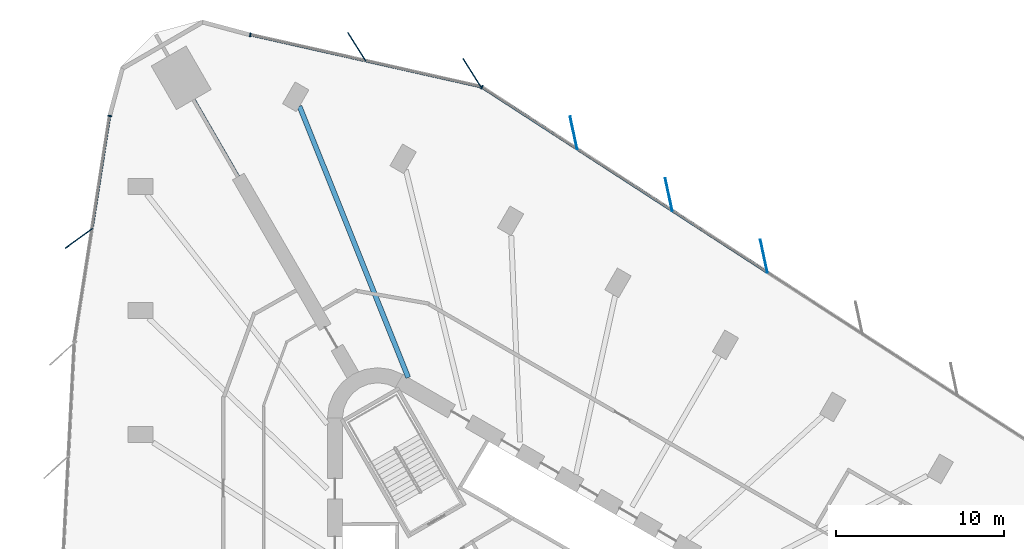
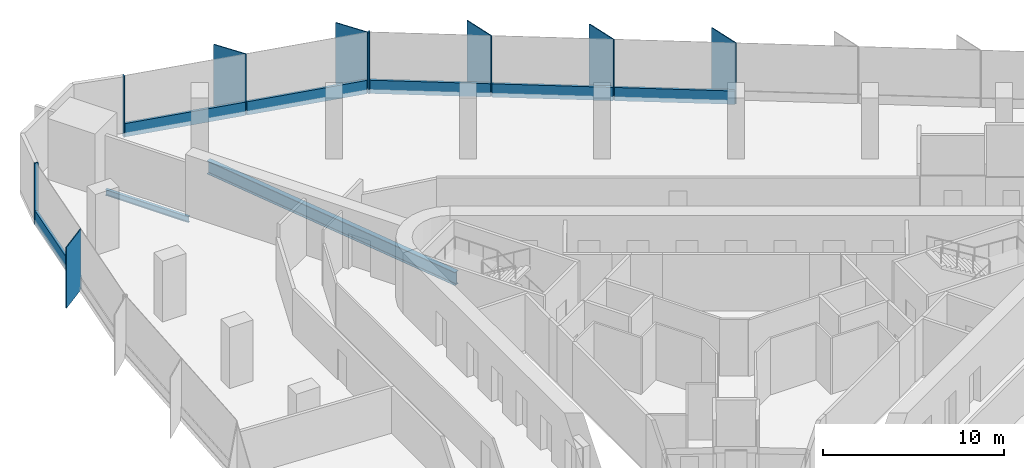
# One storey, part 7 of 14: 15 members, 2 beams, 3 elements without a shape of their own.
"""IFC4 building model written with IfcOpenShell, lengths in metres."""

from ifc_helpers import new_model, si_unit, direction, frame, origin, origin_2d, place, context, subcontext, project, spatial, rectangle, i_section, extrude, material, material_profile, profile_set, type_object, element, aggregate, save


model = new_model("IFC4")

# Units and contexts
model_context = context("Model", 3, precision=1e-05, world=origin(), true_north=direction((0.0, 1.0)))
body_context = subcontext(model_context, "Body", "Model", "MODEL_VIEW")
ifc_project = project(units=[si_unit("LENGTHUNIT", "METRE"), si_unit("AREAUNIT", "SQUARE_METRE"), si_unit("VOLUMEUNIT", "CUBIC_METRE"), si_unit("PLANEANGLEUNIT", "RADIAN"), si_unit("MASSUNIT", "GRAM", prefix="KILO")], contexts=[model_context])

# Site, building, storey
site_placement = place(None, origin())
site = spatial("IfcSite", under=ifc_project, at=site_placement, CompositionType="ELEMENT")
building_placement = place(site_placement, origin())
building = spatial("IfcBuilding", under=site, at=building_placement, Name="Tanit Gate Tower", CompositionType="ELEMENT")
storey_placement = place(building_placement, frame((0.0, 0.0, 78.300048828125)))
storey = spatial("IfcBuildingStorey", under=building, at=storey_placement, Name="L15", CompositionType="ELEMENT", Elevation=78.300048828125)

# Curtain wall, members
ifc_material_1 = material(Name="Aluminium bronze anodised and glass", Category="aluminium")
curtain_wall_type = type_object("IfcCurtainWallType", Name="Curtain wall typical low", PredefinedType="NOTDEFINED", material=ifc_material_1)
curtain_wall_1_placement = place(storey_placement, origin())
curtain_wall_1 = element("IfcCurtainWall", 1, at=curtain_wall_1_placement, inside=storey, type_object=curtain_wall_type, Name="Curtain wall L15 NE2", PredefinedType="NOTDEFINED")
ifc_material_2 = material(Name="Aluminium bronze anodised", Category="aluminium")
ifc_material_profile_1 = material_profile(ifc_material_2, rectangle(XDim=2.0, YDim=0.055908203125, at=origin_2d()), Name="56x2000 bronze fin mullion")
ifc_profile_set_1 = profile_set([ifc_material_profile_1], Name="Aluminium bronze anodised")
member_type_1 = type_object("IfcMemberType", Name="FIN MULLION 56x2000 bronze", PredefinedType="MULLION", material=ifc_profile_set_1)
member_1_placement = place(storey_placement, frame((13.91162109375, 25.4013671875, -0.300048828125), z_axis=(0.0, 0.0, 1.0), x_axis=(0.208373118697, -0.978049407445, 0.0)))
member_1 = element("IfcMember", 2, at=member_1_placement, type_object=member_type_1, Name="Fin mullion L15 NE2.4", PredefinedType="MULLION", context=body_context, shape_type="SweptSolid", body=[
    extrude(rectangle(XDim=2.0, YDim=0.055908203125, at=origin_2d()), origin(), (0.0, 0.0, 1.0), 4.10009765625),
])
member_2_placement = place(storey_placement, frame((8.2431640625, 29.07861328125, -0.300048828125), z_axis=(0.0, 0.0, 1.0), x_axis=(0.208373118697, -0.978049407445, 0.0)))
member_2 = element("IfcMember", 3, at=member_2_placement, type_object=member_type_1, Name="Fin mullion L15 NE2.5", PredefinedType="MULLION", context=body_context, shape_type="SweptSolid", body=[
    extrude(rectangle(XDim=2.0, YDim=0.055908203125, at=origin_2d()), origin(), (0.0, 0.0, 1.0), 4.10009765625),
])
member_3_placement = place(storey_placement, frame((2.57470703125, 32.755859375, -0.300048828125), z_axis=(0.0, 0.0, 1.0), x_axis=(0.208373118697, -0.978049407445, 0.0)))
member_3 = element("IfcMember", 4, at=member_3_placement, type_object=member_type_1, Name="Fin mullion L15 NE2.6", PredefinedType="MULLION", context=body_context, shape_type="SweptSolid", body=[
    extrude(rectangle(XDim=2.0, YDim=0.055908203125, at=origin_2d()), origin(), (0.0, 0.0, 1.0), 4.10009765625),
])

curtain_wall_2_placement = place(storey_placement, origin())
curtain_wall_2 = element("IfcCurtainWall", 5, at=curtain_wall_2_placement, inside=storey, type_object=curtain_wall_type, Name="Curtain wall L15 NE3", PredefinedType="NOTDEFINED")
member_4_placement = place(storey_placement, frame((-3.48486328125, 36.333740234375, -0.300048828125), z_axis=(0.0, 0.0, 1.0), x_axis=(0.534475003712, -0.845184281921, 0.0)))
member_4 = element("IfcMember", 6, at=member_4_placement, type_object=member_type_1, Name="Fin mullion L15 NE3.1", PredefinedType="MULLION", context=body_context, shape_type="SweptSolid", body=[
    extrude(rectangle(XDim=2.0, YDim=0.055908203125, at=origin_2d()), origin(), (0.0, 0.0, 1.0), 4.10009765625),
])
member_5_placement = place(storey_placement, frame((-10.349853515625, 37.8798828125, -0.300048828125), z_axis=(0.0, 0.0, 1.0), x_axis=(0.534475003712, -0.845184281921, 0.0)))
member_5 = element("IfcMember", 7, at=member_5_placement, type_object=member_type_1, Name="Fin mullion L15 NE3.2", PredefinedType="MULLION", context=body_context, shape_type="SweptSolid", body=[
    extrude(rectangle(XDim=2.0, YDim=0.055908203125, at=origin_2d()), origin(), (0.0, 0.0, 1.0), 4.10009765625),
])

# Curtain wall, member
curtain_wall_3_placement = place(storey_placement, origin())
curtain_wall_3 = element("IfcCurtainWall", 8, at=curtain_wall_3_placement, inside=storey, type_object=curtain_wall_type, Name="Curtain wall L15 W1", PredefinedType="NOTDEFINED")
member_6_placement = place(storey_placement, frame((-26.91064453125, 26.467041015625, -0.300048828125), z_axis=(0.0, 0.0, 1.0), x_axis=(0.807543608226, 0.589807867711, 0.0)))
member_6 = element("IfcMember", 9, at=member_6_placement, type_object=member_type_1, Name="Fin mullion L15 W1.2", PredefinedType="MULLION", context=body_context, shape_type="SweptSolid", body=[
    extrude(rectangle(XDim=2.0, YDim=0.055908203125, at=origin_2d()), origin(), (0.0, 0.0, 1.0), 4.10009765625),
])

# Member
ifc_material_3 = material(Name="Aluminium bronze anodised", Category="aluminium")
ifc_material_profile_2 = material_profile(ifc_material_3, rectangle(XDim=0.239990234375, YDim=0.080078125, at=origin_2d()), Name="80x240 bronze mullion")
ifc_profile_set_2 = profile_set([ifc_material_profile_2], Name="Aluminium bronze anodised")
member_type_2 = type_object("IfcMemberType", Name="Mullion 80x240 typical low", PredefinedType="MULLION", material=ifc_profile_set_2)
member_7_placement = place(storey_placement, frame((-2.889892578125, 35.477294921875, -0.300048828125), z_axis=(0.0, 0.0, 1.0), x_axis=(-0.544243323092, -0.838927413588, 0.0)))
member_7 = element("IfcMember", 10, at=member_7_placement, type_object=member_type_2, Name="Mullion L15 NE2.7", PredefinedType="MULLION", context=body_context, shape_type="SweptSolid", body=[
    extrude(rectangle(XDim=0.239990234375, YDim=0.080078125, at=origin_2d()), origin(), (0.0, 0.0, 1.0), 4.10009765625),
])

member_8_placement = place(storey_placement, frame((-16.6923828125, 38.599853515625, -0.300048828125), z_axis=(0.0, 0.0, 1.0), x_axis=(-0.219704637599, -0.975566436598, 0.0)))
member_8 = element("IfcMember", 11, at=member_8_placement, type_object=member_type_2, Name="Mullion L15 NE3.3", PredefinedType="MULLION", context=body_context, shape_type="SweptSolid", body=[
    extrude(rectangle(XDim=0.239990234375, YDim=0.080078125, at=origin_2d()), origin(), (0.0, 0.0, 1.0), 4.10009765625),
])

member_9_placement = place(storey_placement, frame((-25.07421875, 33.76318359375, -0.300048828125), z_axis=(0.0, 0.0, 1.0), x_axis=(0.988076704336, -0.153962418624, 0.0)))
member_9 = element("IfcMember", 12, at=member_9_placement, type_object=member_type_2, Name="Mullion L15 W1.1", PredefinedType="MULLION", context=body_context, shape_type="SweptSolid", body=[
    extrude(rectangle(XDim=0.239990234375, YDim=0.080078125, at=origin_2d()), origin(), (0.0, 0.0, 1.0), 4.10009765625),
])

# Beams
ifc_material_4 = material(Name="Steel S355", Category="steel")
ifc_material_profile_3 = material_profile(ifc_material_4, i_section(OverallWidth=0.300048828125, OverallDepth=0.889892578125, WebThickness=0.01611328125, FlangeThickness=0.030029296875, FilletRadius=0.030029296875, at=origin_2d()), Name="HEA 900")
ifc_profile_set_3 = profile_set([ifc_material_profile_3], Name="Steel S355")
beam_type_1 = type_object("IfcBeamType", Name="RADIAL GIRDER HEA 900 S355", PredefinedType="BEAM", material=ifc_profile_set_3)
beam_1_placement = place(storey_placement, frame((-13.76220703125, 34.3447265625, -0.7451171875), z_axis=(0.371958649454, -0.928249300078, 0.0), x_axis=(0.928249300078, 0.371958649454, 0.0)))
element("IfcBeam", 13, at=beam_1_placement, inside=storey, type_object=beam_type_1, Name="RADIAL GIRDER", PredefinedType="BEAM", context=body_context, shape_type="SweptSolid", body=[
    extrude(i_section(OverallWidth=0.300048828125, OverallDepth=0.889892578125, WebThickness=0.01611328125, FlangeThickness=0.030029296875, FilletRadius=0.030029296875, at=origin_2d()), origin(), (0.0, 0.0, 1.0), 17.4140625),
])
ifc_material_5 = material(Name="Steel S355", Category="steel")
ifc_material_profile_4 = material_profile(ifc_material_5, i_section(OverallWidth=0.179931640625, OverallDepth=0.39990234375, WebThickness=0.008544921875, FlangeThickness=0.013427734375, FilletRadius=0.02099609375, at=origin_2d()), Name="IPE 400")
ifc_profile_set_4 = profile_set([ifc_material_profile_4], Name="Steel S355")
beam_type_2 = type_object("IfcBeamType", Name="RADIAL GIRDER IPE 400 S355", PredefinedType="BEAM", material=ifc_profile_set_4)
beam_2_placement = place(storey_placement, frame((-20.05810546875, 34.741455078125, -0.5), z_axis=(0.499991120112, -0.86603053053, 0.0), x_axis=(0.86603053053, 0.499991120112, 0.0)))
element("IfcBeam", 14, at=beam_2_placement, inside=storey, type_object=beam_type_2, Name="RADIAL GIRDER", PredefinedType="BEAM", context=body_context, shape_type="SweptSolid", body=[
    extrude(i_section(OverallWidth=0.179931640625, OverallDepth=0.39990234375, WebThickness=0.008544921875, FlangeThickness=0.013427734375, FilletRadius=0.02099609375, at=origin_2d()), origin(), (0.0, 0.0, 1.0), 5.29638671875),
])

# Member
ifc_material_6 = material(Name="Aluminium bronze anodised", Category="aluminium")
ifc_material_profile_5 = material_profile(ifc_material_6, rectangle(XDim=0.159912109375, YDim=0.89990234375, at=origin_2d()), Name="160x900 bronze transom")
ifc_profile_set_5 = profile_set([ifc_material_profile_5], Name="Aluminium bronze anodised")
member_type_3 = type_object("IfcMemberType", Name="Transom 160x900 typical low", PredefinedType="USERDEFINED", material=ifc_profile_set_5)
member_10_placement = place(storey_placement, frame((14.08154296875, 24.46728515625, 0.14990234375), z_axis=(-0.838932859074, 0.544234929021, 0.0), x_axis=(-0.544234929021, -0.838932859074, 0.0)))
member_10 = element("IfcMember", 15, at=member_10_placement, type_object=member_type_3, Name="Transom L15 NE2.4", ObjectType="TRANSOM", PredefinedType="USERDEFINED", context=body_context, shape_type="SweptSolid", body=[
    extrude(rectangle(XDim=0.159912109375, YDim=0.89990234375, at=origin_2d()), origin(), (0.0, 0.0, 1.0), 6.676513671875),
])

member_11_placement = place(storey_placement, frame((8.413330078125, 28.14453125, 0.14990234375), z_axis=(-0.83894368958, 0.544218233536, 0.0), x_axis=(-0.544218233536, -0.83894368958, 0.0)))
member_11 = element("IfcMember", 16, at=member_11_placement, type_object=member_type_3, Name="Transom L15 NE2.5", ObjectType="TRANSOM", PredefinedType="USERDEFINED", context=body_context, shape_type="SweptSolid", body=[
    extrude(rectangle(XDim=0.159912109375, YDim=0.89990234375, at=origin_2d()), origin(), (0.0, 0.0, 1.0), 6.676513671875),
])

member_12_placement = place(storey_placement, frame((2.744873046875, 31.82177734375, 0.14990234375), z_axis=(-0.838926994438, 0.544243969194, 0.0), x_axis=(-0.544243969194, -0.838926994438, 0.0)))
member_12 = element("IfcMember", 17, at=member_12_placement, type_object=member_type_3, Name="Transom L15 NE2.6", ObjectType="TRANSOM", PredefinedType="USERDEFINED", context=body_context, shape_type="SweptSolid", body=[
    extrude(rectangle(XDim=0.159912109375, YDim=0.89990234375, at=origin_2d()), origin(), (0.0, 0.0, 1.0), 6.6767578125),
])

aggregate(curtain_wall_1, [member_1, member_2, member_3, member_7, member_10, member_11, member_12])

member_13_placement = place(storey_placement, frame((-3.00146484375, 35.5166015625, 0.14990234375), z_axis=(-0.975562949625, 0.219720120422, 0.0), x_axis=(-0.219720120422, -0.975562949625, 0.0)))
member_13 = element("IfcMember", 18, at=member_13_placement, type_object=member_type_3, Name="Transom L15 NE3.1", ObjectType="TRANSOM", PredefinedType="USERDEFINED", context=body_context, shape_type="SweptSolid", body=[
    extrude(rectangle(XDim=0.159912109375, YDim=0.89990234375, at=origin_2d()), origin(), (0.0, 0.0, 1.0), 6.956787109375),
])

member_14_placement = place(storey_placement, frame((-9.866455078125, 37.062744140625, 0.14990234375), z_axis=(-0.975570471422, 0.219686720785, 0.0), x_axis=(-0.219686720785, -0.975570471422, 0.0)))
member_14 = element("IfcMember", 19, at=member_14_placement, type_object=member_type_3, Name="Transom L15 NE3.2", ObjectType="TRANSOM", PredefinedType="USERDEFINED", context=body_context, shape_type="SweptSolid", body=[
    extrude(rectangle(XDim=0.159912109375, YDim=0.89990234375, at=origin_2d()), origin(), (0.0, 0.0, 1.0), 6.956787109375),
])

aggregate(curtain_wall_2, [member_4, member_5, member_8, member_13, member_14])

member_15_placement = place(storey_placement, frame((-25.080322265625, 33.7236328125, 0.14990234375), z_axis=(-0.153986803013, -0.988072904445, 0.0), x_axis=(0.988072904445, -0.153986803013, 0.0)))
member_15 = element("IfcMember", 20, at=member_15_placement, type_object=member_type_3, Name="Transom L15 W1.1", ObjectType="TRANSOM", PredefinedType="USERDEFINED", context=body_context, shape_type="SweptSolid", body=[
    extrude(rectangle(XDim=0.159912109375, YDim=0.89990234375, at=origin_2d()), origin(), (0.0, 0.0, 1.0), 6.720703125),
])

aggregate(curtain_wall_3, [member_9, member_6, member_15])

save(model, "model.ifc")
